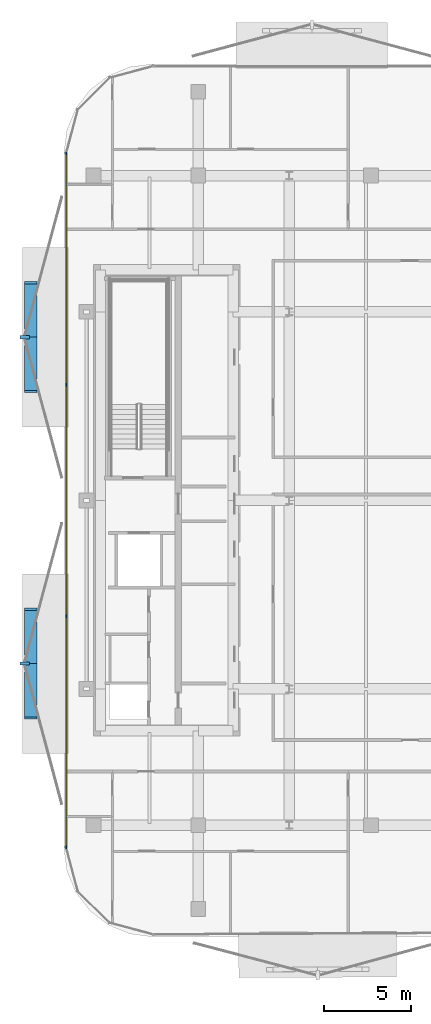
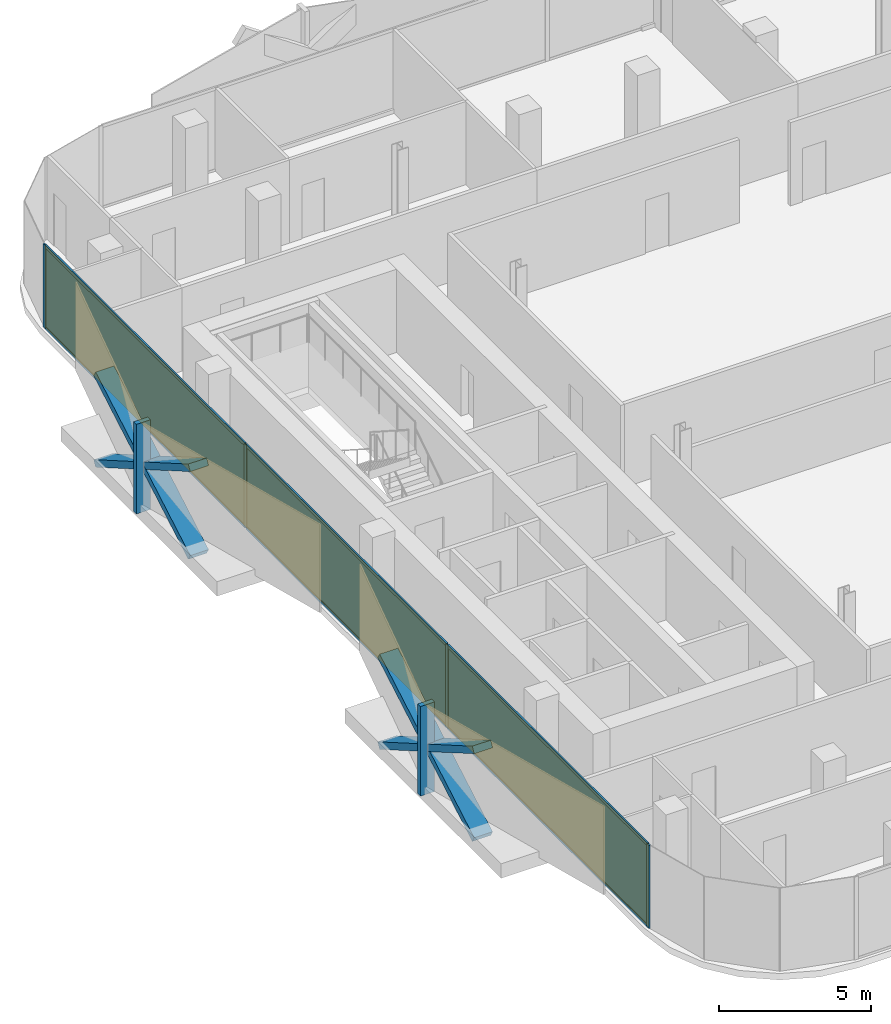
# One storey, part 8 of 14: 16 members, 3 plates, 1 curtain wall.
"""IFC4 building model written with IfcOpenShell, lengths in metres."""

from ifc_helpers import new_model, si_unit, direction, frame, frame_2d, origin, origin_2d, place, context, subcontext, project, spatial, rectangle, extrude, material, layer, layer_set, material_profile, profile_set, type_object, element, aggregate, save


model = new_model("IFC4")

# Units and contexts
model_context = context("Model", 3, precision=1e-05, world=origin(), true_north=direction((0.0, 1.0)))
body_context = subcontext(model_context, "Body", "Model", "MODEL_VIEW")
ifc_project = project(units=[si_unit("LENGTHUNIT", "METRE"), si_unit("AREAUNIT", "SQUARE_METRE"), si_unit("VOLUMEUNIT", "CUBIC_METRE"), si_unit("PLANEANGLEUNIT", "RADIAN"), si_unit("MASSUNIT", "GRAM", prefix="KILO")], contexts=[model_context])

# Member
ifc_material_1 = material(Name="Anodised Bronze Aluminium 6063-T6", Category="aluminium")
ifc_material_profile_1 = material_profile(ifc_material_1, rectangle(XDim=0.260009765625, YDim=0.699951171875, at=origin_2d()))
ifc_profile_set_1 = profile_set([ifc_material_profile_1], Name="Anodised Bronze Aluminium 6063-T6")
member_type_1 = type_object("IfcMemberType", Name="Bronze Diamond Solar-Screen Lattice Rib BDL-700", PredefinedType="MULLION", material=ifc_profile_set_1)
site_placement = place(None, origin())
building_placement = place(site_placement, origin())
storey_placement = place(building_placement, frame((0.0, 0.0, 236.800048828125)))
member_1_placement = place(storey_placement, frame((-24.0, -12.46044921875, -0.130126953125), z_axis=(0.0, 0.865840250196, 0.500320558383), x_axis=(0.0, -0.500320558383, 0.865840250196)))
member_1 = element("IfcMember", 1, at=member_1_placement, type_object=member_type_1, Name="L55 Bronze Diamond Solar Screen Lattice Rib 371A", PredefinedType="MULLION", context=body_context, shape_type="SweptSolid", body=[
    extrude(rectangle(XDim=0.260009765625, YDim=0.699951171875, at=origin_2d()), origin(), (0.0, 0.0, 1.0), 7.195556640625),
])

member_2_placement = place(storey_placement, frame((-24.0, -6.230224609375, -0.130126953125), z_axis=(0.0, -0.865840250196, 0.500320558383), x_axis=(0.0, 0.500320558383, 0.865840250196)))
member_2 = element("IfcMember", 2, at=member_2_placement, type_object=member_type_1, Name="L55 Bronze Diamond Solar Screen Lattice Rib 371B", PredefinedType="MULLION", context=body_context, shape_type="SweptSolid", body=[
    extrude(rectangle(XDim=0.260009765625, YDim=0.699951171875, at=origin_2d()), origin(), (0.0, 0.0, 1.0), 7.195556640625),
])

member_3_placement = place(storey_placement, frame((-24.0, 6.230224609375, -0.130126953125), z_axis=(0.0, 0.865840250196, 0.500320558383), x_axis=(0.0, -0.500320558383, 0.865840250196)))
member_3 = element("IfcMember", 3, at=member_3_placement, type_object=member_type_1, Name="L55 Bronze Diamond Solar Screen Lattice Rib 372A", PredefinedType="MULLION", context=body_context, shape_type="SweptSolid", body=[
    extrude(rectangle(XDim=0.260009765625, YDim=0.699951171875, at=origin_2d()), origin(), (0.0, 0.0, 1.0), 7.195556640625),
])

member_4_placement = place(storey_placement, frame((-24.0, 12.46044921875, -0.130126953125), z_axis=(0.0, -0.865840250196, 0.500320558383), x_axis=(0.0, 0.500320558383, 0.865840250196)))
member_4 = element("IfcMember", 4, at=member_4_placement, type_object=member_type_1, Name="L55 Bronze Diamond Solar Screen Lattice Rib 372B", PredefinedType="MULLION", context=body_context, shape_type="SweptSolid", body=[
    extrude(rectangle(XDim=0.260009765625, YDim=0.699951171875, at=origin_2d()), origin(), (0.0, 0.0, 1.0), 7.195556640625),
])

ifc_material_2 = material(Name="Anodised Bronze Aluminium 6063-T6", Category="aluminium")
ifc_material_profile_2 = material_profile(ifc_material_2, rectangle(XDim=0.179931640625, YDim=0.5400390625, at=origin_2d()))
ifc_profile_set_2 = profile_set([ifc_material_profile_2], Name="Anodised Bronze Aluminium 6063-T6")
member_type_2 = type_object("IfcMemberType", Name="Bronze Solar-Screen Vertical Fold Fin BSF-540", PredefinedType="MULLION", material=ifc_profile_set_2)
member_5_placement = place(storey_placement, frame((-24.340087890625, -9.345458984375, -0.130126953125), z_axis=(0.0, 0.0, 1.0), x_axis=(0.0, 1.0, 0.0)))
member_5 = element("IfcMember", 5, at=member_5_placement, type_object=member_type_2, Name="L55 Bronze Solar Screen Vertical Fin 371", PredefinedType="MULLION", context=body_context, shape_type="SweptSolid", body=[
    extrude(rectangle(XDim=0.179931640625, YDim=0.5400390625, at=origin_2d()), origin(), (0.0, 0.0, 1.0), 3.60009765625),
])

member_6_placement = place(storey_placement, frame((-24.340087890625, 9.345458984375, -0.130126953125), z_axis=(0.0, 0.0, 1.0), x_axis=(0.0, 1.0, 0.0)))
member_6 = element("IfcMember", 6, at=member_6_placement, type_object=member_type_2, Name="L55 Bronze Solar Screen Vertical Fin 372", PredefinedType="MULLION", context=body_context, shape_type="SweptSolid", body=[
    extrude(rectangle(XDim=0.179931640625, YDim=0.5400390625, at=origin_2d()), origin(), (0.0, 0.0, 1.0), 3.60009765625),
])

ifc_material_3 = material(Name="Anodised Bronze Aluminium 6063-T6", Category="aluminium")
ifc_material_profile_3 = material_profile(ifc_material_3, rectangle(XDim=0.06005859375, YDim=0.159912109375, at=origin_2d()))
ifc_profile_set_3 = profile_set([ifc_material_profile_3], Name="Anodised Bronze Aluminium 6063-T6")
member_type_3 = type_object("IfcMemberType", Name="CW-Z4 Mullion 60x160", PredefinedType="MULLION", material=ifc_profile_set_3)
member_7_placement = place(storey_placement, frame((-21.9599609375, -19.86083984375, 0.0), z_axis=(0.0, 0.0, 1.0), x_axis=(-1.0, 0.0, 0.0)))
member_7 = element("IfcMember", 7, at=member_7_placement, type_object=member_type_3, Name="CW-Z4 mullion 1", PredefinedType="MULLION", context=body_context, shape_type="SweptSolid", body=[
    extrude(rectangle(XDim=0.06005859375, YDim=0.159912109375, at=origin_2d()), origin(), (0.0, 0.0, 1.0), 3.33984375),
])

member_8_placement = place(storey_placement, frame((-21.9599609375, -6.63037109375, 0.0), z_axis=(0.0, 0.0, 1.0), x_axis=(-1.0, 0.0, 0.0)))
member_8 = element("IfcMember", 8, at=member_8_placement, type_object=member_type_3, Name="CW-Z4 mullion 2", PredefinedType="MULLION", context=body_context, shape_type="SweptSolid", body=[
    extrude(rectangle(XDim=0.06005859375, YDim=0.159912109375, at=origin_2d()), origin(), (0.0, 0.0, 1.0), 3.33984375),
])

member_9_placement = place(storey_placement, frame((-21.9599609375, 6.63037109375, 0.0), z_axis=(0.0, 0.0, 1.0), x_axis=(-1.0, 0.0, 0.0)))
member_9 = element("IfcMember", 9, at=member_9_placement, type_object=member_type_3, Name="CW-Z4 mullion 3", PredefinedType="MULLION", context=body_context, shape_type="SweptSolid", body=[
    extrude(rectangle(XDim=0.06005859375, YDim=0.159912109375, at=origin_2d()), origin(), (0.0, 0.0, 1.0), 3.33984375),
])

member_10_placement = place(storey_placement, frame((-21.9599609375, 19.86083984375, 0.0), z_axis=(0.0, 0.0, 1.0), x_axis=(-1.0, 0.0, 0.0)))
member_10 = element("IfcMember", 10, at=member_10_placement, type_object=member_type_3, Name="CW-Z4 mullion 4", PredefinedType="MULLION", context=body_context, shape_type="SweptSolid", body=[
    extrude(rectangle(XDim=0.06005859375, YDim=0.159912109375, at=origin_2d()), origin(), (0.0, 0.0, 1.0), 3.33984375),
])

ifc_material_4 = material(Name="Anodised Bronze Aluminium 6063-T6", Category="aluminium")
ifc_material_profile_4 = material_profile(ifc_material_4, rectangle(XDim=0.06005859375, YDim=0.125, at=origin_2d()))
ifc_profile_set_4 = profile_set([ifc_material_profile_4], Name="Anodised Bronze Aluminium 6063-T6")
member_type_4 = type_object("IfcMemberType", Name="CW-Z4 Transom 60x125", PredefinedType="USERDEFINED", material=ifc_profile_set_4)
member_11_placement = place(storey_placement, frame((-21.9599609375, -19.830810546875, 0.030029296875), z_axis=(0.0, 1.0, 0.0), x_axis=(-1.0, 0.0, 0.0)))
member_11 = element("IfcMember", 11, at=member_11_placement, type_object=member_type_4, Name="CW-Z4 transom 1.1", ObjectType="TRANSOM", PredefinedType="USERDEFINED", context=body_context, shape_type="SweptSolid", body=[
    extrude(rectangle(XDim=0.06005859375, YDim=0.125, at=origin_2d()), origin(), (0.0, 0.0, 1.0), 13.170654296875),
])

member_12_placement = place(storey_placement, frame((-21.9599609375, -19.830810546875, 3.31005859375), z_axis=(0.0, 1.0, 0.0), x_axis=(-1.0, 0.0, 0.0)))
member_12 = element("IfcMember", 12, at=member_12_placement, type_object=member_type_4, Name="CW-Z4 transom 1.2", ObjectType="TRANSOM", PredefinedType="USERDEFINED", context=body_context, shape_type="SweptSolid", body=[
    extrude(rectangle(XDim=0.06005859375, YDim=0.125, at=origin_2d()), origin(), (0.0, 0.0, 1.0), 13.170654296875),
])

member_13_placement = place(storey_placement, frame((-21.9599609375, -6.600341796875, 0.030029296875), z_axis=(0.0, 1.0, 0.0), x_axis=(-1.0, 0.0, 0.0)))
member_13 = element("IfcMember", 13, at=member_13_placement, type_object=member_type_4, Name="CW-Z4 transom 2.1", ObjectType="TRANSOM", PredefinedType="USERDEFINED", context=body_context, shape_type="SweptSolid", body=[
    extrude(rectangle(XDim=0.06005859375, YDim=0.125, at=origin_2d()), origin(), (0.0, 0.0, 1.0), 13.20068359375),
])

member_14_placement = place(storey_placement, frame((-21.9599609375, -6.600341796875, 3.31005859375), z_axis=(0.0, 1.0, 0.0), x_axis=(-1.0, 0.0, 0.0)))
member_14 = element("IfcMember", 14, at=member_14_placement, type_object=member_type_4, Name="CW-Z4 transom 2.2", ObjectType="TRANSOM", PredefinedType="USERDEFINED", context=body_context, shape_type="SweptSolid", body=[
    extrude(rectangle(XDim=0.06005859375, YDim=0.125, at=origin_2d()), origin(), (0.0, 0.0, 1.0), 13.20068359375),
])

member_15_placement = place(storey_placement, frame((-21.9599609375, 6.66015625, 0.030029296875), z_axis=(0.0, 1.0, 0.0), x_axis=(-1.0, 0.0, 0.0)))
member_15 = element("IfcMember", 15, at=member_15_placement, type_object=member_type_4, Name="CW-Z4 transom 3.1", ObjectType="TRANSOM", PredefinedType="USERDEFINED", context=body_context, shape_type="SweptSolid", body=[
    extrude(rectangle(XDim=0.06005859375, YDim=0.125, at=origin_2d()), origin(), (0.0, 0.0, 1.0), 13.170654296875),
])

member_16_placement = place(storey_placement, frame((-21.9599609375, 6.66015625, 3.31005859375), z_axis=(0.0, 1.0, 0.0), x_axis=(-1.0, 0.0, 0.0)))
member_16 = element("IfcMember", 16, at=member_16_placement, type_object=member_type_4, Name="CW-Z4 transom 3.2", ObjectType="TRANSOM", PredefinedType="USERDEFINED", context=body_context, shape_type="SweptSolid", body=[
    extrude(rectangle(XDim=0.06005859375, YDim=0.125, at=origin_2d()), origin(), (0.0, 0.0, 1.0), 13.170654296875),
])

# Plate
ifc_material_5 = material(Name="Low-E Solar Control Laminated Glass", Category="glass")
ifc_layer_1 = layer(ifc_material_5, 0.030029296875, Name="Low-E Solar Control Laminated Glass")
ifc_layer_set_1 = layer_set([ifc_layer_1], Name="Low-E Solar Control Laminated Glass")
plate_type = type_object("IfcPlateType", Name="CW-Z4 Low-E Double Glazed Panel 30mm", PredefinedType="CURTAIN_PANEL", material=ifc_layer_set_1)
plate_1_placement = place(storey_placement, frame((-21.9599609375, -13.24560546875, 0.06005859375), z_axis=(0.0, 0.0, 1.0), x_axis=(0.0, 1.0, 0.0)))
plate_1 = element("IfcPlate", 17, at=plate_1_placement, type_object=plate_type, Name="CW-Z4 panel 1.1", PredefinedType="CURTAIN_PANEL", context=body_context, shape_type="SweptSolid", body=[
    extrude(rectangle(XDim=13.170654296875, YDim=0.030029296875, at=origin_2d()), origin(), (0.0, 0.0, 1.0), 3.219970703125),
])

plate_2_placement = place(storey_placement, frame((-21.9599609375, 0.0, 0.06005859375), z_axis=(0.0, 0.0, 1.0), x_axis=(0.0, 1.0, 0.0)))
plate_2 = element("IfcPlate", 18, at=plate_2_placement, type_object=plate_type, Name="CW-Z4 panel 2.1", PredefinedType="CURTAIN_PANEL", context=body_context, shape_type="SweptSolid", body=[
    extrude(rectangle(XDim=13.200439453125, YDim=0.030029296875, at=origin_2d()), origin(), (0.0, 0.0, 1.0), 3.219970703125),
])

plate_3_placement = place(storey_placement, frame((-21.9599609375, 13.24560546875, 0.06005859375), z_axis=(0.0, 0.0, 1.0), x_axis=(0.0, 1.0, 0.0)))
plate_3 = element("IfcPlate", 19, at=plate_3_placement, type_object=plate_type, Name="CW-Z4 panel 3.1", PredefinedType="CURTAIN_PANEL", context=body_context, shape_type="SweptSolid", body=[
    extrude(rectangle(XDim=13.170654296875, YDim=0.030029296875, at=origin_2d()), origin(), (0.0, 0.0, 1.0), 3.219970703125),
])

# Site, building, storey
site = spatial("IfcSite", under=ifc_project, at=site_placement, CompositionType="ELEMENT")
building = spatial("IfcBuilding", under=site, at=building_placement, Name="Khairoan Windgate Tower", CompositionType="ELEMENT")
storey = spatial("IfcBuildingStorey", under=building, at=storey_placement, Name="L55", CompositionType="ELEMENT", Elevation=236.800048828125)

# Curtain wall
ifc_material_6 = material(Name="Anodised Bronze Aluminium 6063-T6", Category="aluminium")
ifc_layer_2 = layer(ifc_material_6, 0.159912109375, Name="Anodised Bronze Aluminium 6063-T6")
ifc_layer_set_2 = layer_set([ifc_layer_2], Name="Anodised Bronze Aluminium 6063-T6")
curtain_wall_type = type_object("IfcCurtainWallType", Name="Sky Residence Unitised Curtain Wall CW-Z4", PredefinedType="NOTDEFINED", material=ifc_layer_set_2)
curtain_wall_placement = place(storey_placement, frame((-21.9599609375, -19.890869140625, 0.0), z_axis=(0.0, 0.0, 1.0), x_axis=(0.0, 1.0, 0.0)))
curtain_wall = element("IfcCurtainWall", 20, at=curtain_wall_placement, inside=storey, type_object=curtain_wall_type, Name="L55 Unitised Curtain Wall 5", PredefinedType="NOTDEFINED", context=body_context, shape_type="SweptSolid", body=[
    extrude(rectangle(XDim=39.78173828125, YDim=0.010009765625, at=frame_2d((19.890869140625, 0.0))), origin(), (0.0, 0.0, 1.0), 3.33984375),
])

aggregate(curtain_wall, [member_7, member_8, member_9, member_10, member_11, member_12, plate_1, member_13, member_14, plate_2, member_15, member_16, plate_3, member_1, member_2, member_5, member_3, member_4, member_6])

save(model, "model.ifc")
